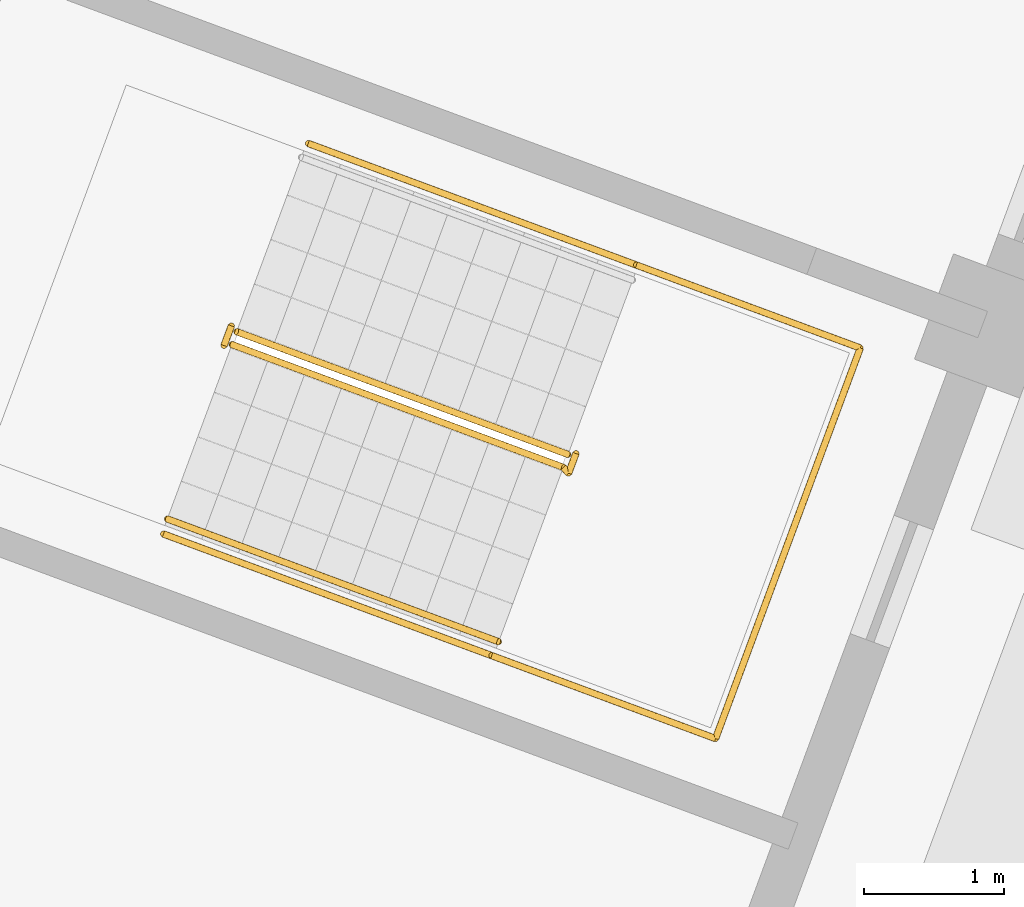
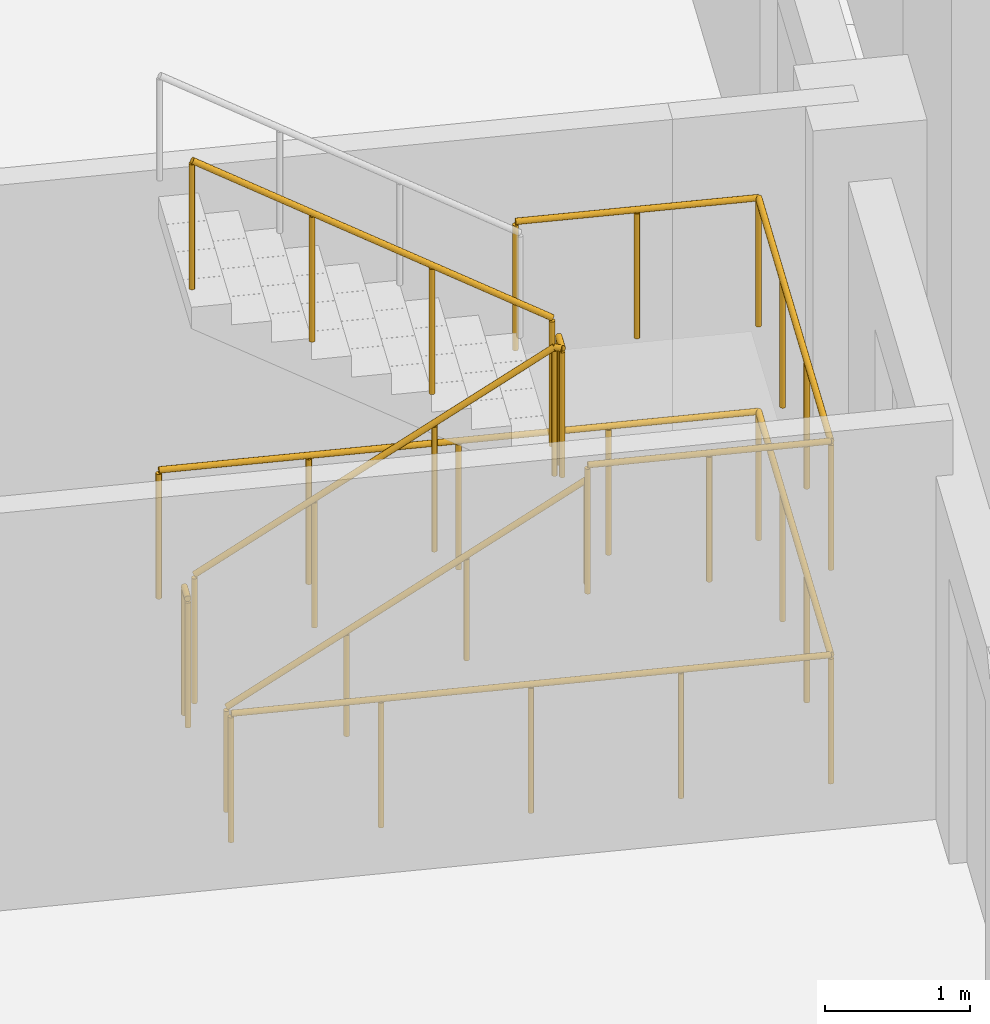
# One storey, part 16 of 20: 6 railings.
"""IFC4 building model written with IfcOpenShell, lengths in metres."""

from ifc_helpers import new_model, si_unit, direction, frame, origin, origin_2d, place, context, subcontext, project, spatial, circle, extrude, material, type_object, element, save


model = new_model("IFC4")

# Units and contexts
model_context = context("Model", 3, precision=1e-05, world=origin(), true_north=direction((0.0, 1.0)))
body_context = subcontext(model_context, "Body", "Model", "MODEL_VIEW")
ifc_project = project(units=[si_unit("LENGTHUNIT", "METRE"), si_unit("AREAUNIT", "SQUARE_METRE"), si_unit("VOLUMEUNIT", "CUBIC_METRE"), si_unit("PLANEANGLEUNIT", "RADIAN"), si_unit("MASSUNIT", "GRAM", prefix="KILO")], contexts=[model_context])

# Site, building, storey
site_placement = place(None, origin())
site = spatial("IfcSite", under=ifc_project, at=site_placement, CompositionType="ELEMENT")
building_placement = place(site_placement, origin())
building = spatial("IfcBuilding", under=site, at=building_placement, Name="Cantera Rosa Tower", CompositionType="ELEMENT")
storey_placement = place(building_placement, frame((0.0, 0.0, 306.10009765625)))
storey = spatial("IfcBuildingStorey", under=building, at=storey_placement, Name="L67", CompositionType="ELEMENT", Elevation=306.10009765625)

# Railings
ifc_material_1 = material(Name="Steel S355J2 (EN 10025-2)", Category="steel")
railing_type_1 = type_object("IfcRailingType", Name="STAIR GUARD 1100", PredefinedType="GUARDRAIL", material=ifc_material_1)
railing_1_placement = place(storey_placement, frame((17.802490234375, 3.721923828125, 0.179931640625)))
element("IfcRailing", 1, at=railing_1_placement, inside=storey, type_object=railing_type_1, Name="L67 ST-61 stair guard 1", PredefinedType="GUARDRAIL", context=body_context, shape_type="SweptSolid", body=[
    extrude(circle(Radius=0.02392578125, at=origin_2d()), frame((0.0, 0.0, 1.076171875), z_axis=(0.78878233546, -0.292319685639, 0.540713998944), x_axis=(0.347500508527, 0.937679794265, 0.0)), (0.0, 0.0, 1.0), 2.995849609375),
    extrude(circle(Radius=0.02392578125, at=origin_2d()), frame((2.363037109375, -0.875732421875, 2.69580078125), z_axis=(0.671593765389, -0.740919573429, 0.0), x_axis=(0.740919573429, 0.671593765389, 0.0)), (0.0, 0.0, 1.0), 0.056396484375),
    extrude(circle(Radius=0.02392578125, at=origin_2d()), frame((2.40087890625, -0.91748046875, 2.69580078125), z_axis=(0.348268249601, 0.937394914814, 0.0), x_axis=(-0.937394914814, 0.348268249601, 0.0)), (0.0, 0.0, 1.0), 0.14990234375),
    extrude(circle(Radius=0.02099609375, at=origin_2d()), origin(), (0.0, 0.0, 1.0), 1.052001953125),
    extrude(circle(Radius=0.02099609375, at=origin_2d()), frame((0.78759765625, -0.2919921875, 0.5400390625)), (0.0, 0.0, 1.0), 1.052001953125),
    extrude(circle(Radius=0.02099609375, at=origin_2d()), frame((1.575439453125, -0.583740234375, 1.079833984375)), (0.0, 0.0, 1.0), 1.052001953125),
    extrude(circle(Radius=0.02099609375, at=origin_2d()), frame((2.363037109375, -0.875732421875, 1.619873046875)), (0.0, 0.0, 1.0), 1.052001953125),
    extrude(circle(Radius=0.02099609375, at=origin_2d()), frame((2.40087890625, -0.91748046875, 1.619873046875)), (0.0, 0.0, 1.0), 1.052001953125),
    extrude(circle(Radius=0.02099609375, at=origin_2d()), frame((2.453125, -0.77685546875, 1.619873046875)), (0.0, 0.0, 1.0), 1.052001953125),
])
railing_2_placement = place(storey_placement, frame((20.19970703125, 2.93798828125, 1.97998046875)))
element("IfcRailing", 2, at=railing_2_placement, inside=storey, type_object=railing_type_1, Name="L67 ST-61 stair guard 2", PredefinedType="GUARDRAIL", context=body_context, shape_type="SweptSolid", body=[
    extrude(circle(Radius=0.02392578125, at=origin_2d()), frame((0.0, 0.0, 1.076171875), z_axis=(-0.78878233546, 0.292319685639, 0.540713998944), x_axis=(-0.347500508527, -0.937679794265, 0.0)), (0.0, 0.0, 1.0), 2.995849609375),
    extrude(circle(Radius=0.02099609375, at=origin_2d()), origin(), (0.0, 0.0, 1.0), 1.052001953125),
    extrude(circle(Radius=0.02099609375, at=origin_2d()), frame((-0.78759765625, 0.2919921875, 0.5400390625)), (0.0, 0.0, 1.0), 1.052001953125),
    extrude(circle(Radius=0.02099609375, at=origin_2d()), frame((-1.575439453125, 0.583740234375, 1.079833984375)), (0.0, 0.0, 1.0), 1.052001953125),
    extrude(circle(Radius=0.02099609375, at=origin_2d()), frame((-2.363037109375, 0.875732421875, 1.619873046875)), (0.0, 0.0, 1.0), 1.052001953125),
])
railing_3_placement = place(storey_placement, frame((17.74658203125, 3.71484375, 0.0)))
element("IfcRailing", 3, at=railing_3_placement, inside=storey, type_object=railing_type_1, Name="L67 ST-61 stair guard 3", PredefinedType="GUARDRAIL", context=body_context, shape_type="SweptSolid", body=[
    extrude(circle(Radius=0.02392578125, at=origin_2d()), frame((0.0, 0.0, 1.076171875), z_axis=(0.348268249601, 0.937394914814, 0.0), x_axis=(-0.937394914814, 0.348268249601, 0.0)), (0.0, 0.0, 1.0), 0.14990234375),
    extrude(circle(Radius=0.02099609375, at=origin_2d()), origin(), (0.0, 0.0, 1.0), 1.052001953125),
    extrude(circle(Radius=0.02099609375, at=origin_2d()), frame((0.05224609375, 0.140625, 0.0)), (0.0, 0.0, 1.0), 1.052001953125),
])
railing_4_placement = place(storey_placement, frame((17.31494140625, 2.37109375, 0.0)))
element("IfcRailing", 4, at=railing_4_placement, inside=storey, type_object=railing_type_1, Name="L67 ST-61 stair guard 4", PredefinedType="GUARDRAIL", context=body_context, shape_type="SweptSolid", body=[
    extrude(circle(Radius=0.02392578125, at=origin_2d()), frame((0.0, 0.0, 1.076171875), z_axis=(0.937682096729, -0.3474942956, 0.0), x_axis=(0.3474942956, 0.937682096729, 0.0)), (0.0, 0.0, 1.0), 4.197998046875),
    extrude(circle(Radius=0.02392578125, at=origin_2d()), frame((3.936279296875, -1.458740234375, 1.076171875), z_axis=(0.347472311651, 0.937690243436, 0.0), x_axis=(-0.937690243436, 0.347472311651, 0.0)), (0.0, 0.0, 1.0), 2.969970703125),
    extrude(circle(Radius=0.02392578125, at=origin_2d()), frame((4.96826171875, 1.326171875, 1.076171875), z_axis=(-0.937682096729, 0.3474942956, 0.0), x_axis=(-0.3474942956, -0.937682096729, 0.0)), (0.0, 0.0, 1.0), 4.197998046875),
    extrude(circle(Radius=0.02099609375, at=origin_2d()), origin(), (0.0, 0.0, 1.0), 1.052001953125),
    extrude(circle(Radius=0.02099609375, at=origin_2d()), frame((0.984130859375, -0.36474609375, 0.0)), (0.0, 0.0, 1.0), 1.052001953125),
    extrude(circle(Radius=0.02099609375, at=origin_2d()), frame((1.96826171875, -0.7294921875, 0.0)), (0.0, 0.0, 1.0), 1.052001953125),
    extrude(circle(Radius=0.02099609375, at=origin_2d()), frame((2.9521484375, -1.093994140625, 0.0)), (0.0, 0.0, 1.0), 1.052001953125),
    extrude(circle(Radius=0.02099609375, at=origin_2d()), frame((3.936279296875, -1.458740234375, 0.0)), (0.0, 0.0, 1.0), 1.052001953125),
    extrude(circle(Radius=0.02099609375, at=origin_2d()), frame((4.2802734375, -0.530517578125, 0.0)), (0.0, 0.0, 1.0), 1.052001953125),
    extrude(circle(Radius=0.02099609375, at=origin_2d()), frame((4.624267578125, 0.39794921875, 0.0)), (0.0, 0.0, 1.0), 1.052001953125),
    extrude(circle(Radius=0.02099609375, at=origin_2d()), frame((4.96826171875, 1.326171875, 0.0)), (0.0, 0.0, 1.0), 1.052001953125),
    extrude(circle(Radius=0.02099609375, at=origin_2d()), frame((3.984130859375, 1.69091796875, 0.0)), (0.0, 0.0, 1.0), 1.052001953125),
    extrude(circle(Radius=0.02099609375, at=origin_2d()), frame((3.0, 2.0556640625, 0.0)), (0.0, 0.0, 1.0), 1.052001953125),
    extrude(circle(Radius=0.02099609375, at=origin_2d()), frame((2.01611328125, 2.420166015625, 0.0)), (0.0, 0.0, 1.0), 1.052001953125),
    extrude(circle(Radius=0.02099609375, at=origin_2d()), frame((1.031982421875, 2.784912109375, 0.0)), (0.0, 0.0, 1.0), 1.052001953125),
])
railing_5_placement = place(storey_placement, frame((19.6552734375, 1.50390625, 1.7998046875)))
element("IfcRailing", 5, at=railing_5_placement, inside=storey, type_object=railing_type_1, Name="L67 ST-61 stair guard 5", PredefinedType="GUARDRAIL", context=body_context, shape_type="SweptSolid", body=[
    extrude(circle(Radius=0.02392578125, at=origin_2d()), frame((0.0, 0.0, 1.076171875), z_axis=(0.937660486946, -0.347552602091, 0.0), x_axis=(0.347552602091, 0.937660486946, 0.0)), (0.0, 0.0, 1.0), 1.7021484375),
    extrude(circle(Radius=0.02392578125, at=origin_2d()), frame((1.595947265625, -0.591552734375, 1.076171875), z_axis=(0.347472311651, 0.937690243436, 0.0), x_axis=(-0.937690243436, 0.347472311651, 0.0)), (0.0, 0.0, 1.0), 2.969970703125),
    extrude(circle(Radius=0.02392578125, at=origin_2d()), frame((2.6279296875, 2.193359375, 1.076171875), z_axis=(-0.937660486946, 0.347552602091, 0.0), x_axis=(-0.347552602091, -0.937660486946, 0.0)), (0.0, 0.0, 1.0), 1.7021484375),
    extrude(circle(Radius=0.02099609375, at=origin_2d()), origin(), (0.0, 0.0, 1.0), 1.052001953125),
    extrude(circle(Radius=0.02099609375, at=origin_2d()), frame((0.7978515625, -0.2958984375, 0.0)), (0.0, 0.0, 1.0), 1.052001953125),
    extrude(circle(Radius=0.02099609375, at=origin_2d()), frame((1.595947265625, -0.591552734375, 0.0)), (0.0, 0.0, 1.0), 1.052001953125),
    extrude(circle(Radius=0.02099609375, at=origin_2d()), frame((1.93994140625, 0.336669921875, 0.0)), (0.0, 0.0, 1.0), 1.052001953125),
    extrude(circle(Radius=0.02099609375, at=origin_2d()), frame((2.283935546875, 1.26513671875, 0.0)), (0.0, 0.0, 1.0), 1.052001953125),
    extrude(circle(Radius=0.02099609375, at=origin_2d()), frame((2.6279296875, 2.193359375, 0.0)), (0.0, 0.0, 1.0), 1.052001953125),
    extrude(circle(Radius=0.02099609375, at=origin_2d()), frame((1.830078125, 2.4892578125, 0.0)), (0.0, 0.0, 1.0), 1.052001953125),
    extrude(circle(Radius=0.02099609375, at=origin_2d()), frame((1.031982421875, 2.784912109375, 0.0)), (0.0, 0.0, 1.0), 1.052001953125),
])
ifc_material_2 = material(Name="Steel S355J2 (EN 10025-2)", Category="steel")
railing_type_2 = type_object("IfcRailingType", Name="STAIR HANDRAIL 900", PredefinedType="HANDRAIL", material=ifc_material_2)
railing_6_placement = place(storey_placement, frame((17.341796875, 2.478515625, 0.179931640625)))
element("IfcRailing", 6, at=railing_6_placement, inside=storey, type_object=railing_type_2, Name="L67 ST-61 stair handrail 1", PredefinedType="HANDRAIL", context=body_context, shape_type="SweptSolid", body=[
    extrude(circle(Radius=0.02392578125, at=origin_2d()), frame((0.0, 0.0, 0.8759765625), z_axis=(0.78878233546, -0.292319685639, 0.540713998944), x_axis=(0.347500508527, 0.937679794265, 0.0)), (0.0, 0.0, 1.0), 2.995849609375),
    extrude(circle(Radius=0.02099609375, at=origin_2d()), origin(), (0.0, 0.0, 1.0), 0.851806640625),
    extrude(circle(Radius=0.02099609375, at=origin_2d()), frame((0.78759765625, -0.2919921875, 0.5400390625)), (0.0, 0.0, 1.0), 0.851806640625),
    extrude(circle(Radius=0.02099609375, at=origin_2d()), frame((1.575439453125, -0.583740234375, 1.079833984375)), (0.0, 0.0, 1.0), 0.851806640625),
    extrude(circle(Radius=0.02099609375, at=origin_2d()), frame((2.363037109375, -0.875732421875, 1.619873046875)), (0.0, 0.0, 1.0), 0.851806640625),
])

save(model, "model.ifc")
